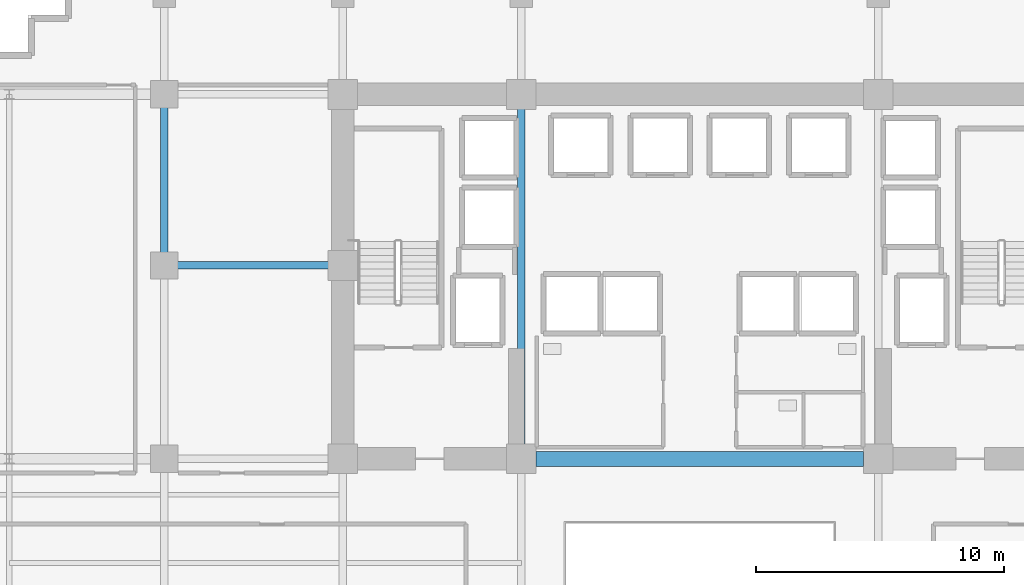
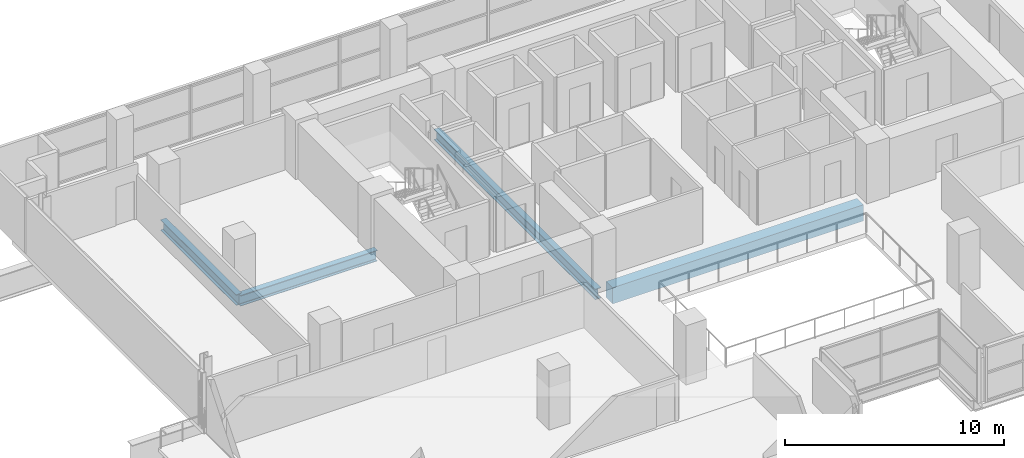
# One storey, part 8 of 31: 4 beams.
"""IFC4 building model written with IfcOpenShell, lengths in metres."""

from ifc_helpers import new_model, si_unit, direction, frame, origin, origin_2d, place, context, subcontext, project, spatial, rectangle, i_section, extrude, material, material_profile, profile_set, type_object, element, save


model = new_model("IFC4")

# Units and contexts
model_context = context("Model", 3, precision=1e-05, world=origin(), true_north=direction((0.0, 1.0)))
body_context = subcontext(model_context, "Body", "Model", "MODEL_VIEW")
ifc_project = project(units=[si_unit("LENGTHUNIT", "METRE"), si_unit("AREAUNIT", "SQUARE_METRE"), si_unit("VOLUMEUNIT", "CUBIC_METRE"), si_unit("PLANEANGLEUNIT", "RADIAN"), si_unit("MASSUNIT", "GRAM", prefix="KILO")], contexts=[model_context])

# Site, building, storey
site_placement = place(None, origin())
site = spatial("IfcSite", under=ifc_project, at=site_placement, CompositionType="ELEMENT")
building_placement = place(site_placement, origin())
building = spatial("IfcBuilding", under=site, at=building_placement, Name="Zarnakvel Exchange Tower", CompositionType="ELEMENT")
storey_placement = place(building_placement, frame((0.0, 0.0, 53.800048828125)))
storey = spatial("IfcBuildingStorey", under=building, at=storey_placement, Name="L14", CompositionType="ELEMENT", Elevation=53.800048828125)

# Beams
ifc_material_1 = material(Name="Concrete C80/95", Category="concrete")
ifc_material_profile_1 = material_profile(ifc_material_1, rectangle(XDim=0.60009765625, YDim=0.89990234375, at=origin_2d()))
ifc_profile_set_1 = profile_set([ifc_material_profile_1], Name="Concrete C80/95")
beam_type_1 = type_object("IfcBeamType", Name="CB-01", PredefinedType="LINTEL", material=ifc_profile_set_1)
beam_1_placement = place(storey_placement, frame((-6.60009765625, -1.199951171875, -0.675048828125), z_axis=(1.0, 0.0, 0.0), x_axis=(0.0, 1.0, 0.0)))
element("IfcBeam", 1, at=beam_1_placement, inside=storey, type_object=beam_type_1, Name="L14 Rear Core South Coupling Beam (CB-01)", PredefinedType="LINTEL", context=body_context, shape_type="SweptSolid", body=[
    extrude(rectangle(XDim=0.60009765625, YDim=0.89990234375, at=origin_2d()), origin(), (0.0, 0.0, 1.0), 13.2001953125),
])
ifc_material_2 = material(Name="Steel S355", Category="steel")
ifc_material_profile_2 = material_profile(ifc_material_2, i_section(OverallWidth=0.300048828125, OverallDepth=0.60009765625, WebThickness=0.015380859375, FlangeThickness=0.030029296875, FilletRadius=0.027099609375, at=origin_2d()))
ifc_profile_set_2 = profile_set([ifc_material_profile_2], Name="Steel S355")
beam_type_2 = type_object("IfcBeamType", Name="G-04", PredefinedType="BEAM", material=ifc_profile_set_2)
beam_2_placement = place(storey_placement, frame((-21.60009765625, 6.60009765625, -0.525146484375), z_axis=(1.0, 0.0, 0.0), x_axis=(0.0, 1.0, 0.0)))
element("IfcBeam", 2, at=beam_2_placement, inside=storey, type_object=beam_type_2, Name="L14 Tower E-W Frame Beam", PredefinedType="BEAM", context=body_context, shape_type="SweptSolid", body=[
    extrude(i_section(OverallWidth=0.300048828125, OverallDepth=0.60009765625, WebThickness=0.015380859375, FlangeThickness=0.030029296875, FilletRadius=0.027099609375, at=origin_2d()), origin(), (0.0, 0.0, 1.0), 7.2001953125),
])
beam_3_placement = place(storey_placement, frame((-21.60009765625, 6.60009765625, -0.525146484375), z_axis=(0.0, 1.0, 0.0), x_axis=(-1.0, 0.0, 0.0)))
element("IfcBeam", 3, at=beam_3_placement, inside=storey, type_object=beam_type_2, Name="L14 Tower N-S Frame Beam", PredefinedType="BEAM", context=body_context, shape_type="SweptSolid", body=[
    extrude(i_section(OverallWidth=0.300048828125, OverallDepth=0.60009765625, WebThickness=0.015380859375, FlangeThickness=0.030029296875, FilletRadius=0.027099609375, at=origin_2d()), origin(), (0.0, 0.0, 1.0), 6.89990234375),
])
beam_4_placement = place(storey_placement, frame((-7.199951171875, -1.199951171875, -0.525146484375), z_axis=(0.0, 1.0, 0.0), x_axis=(-1.0, 0.0, 0.0)))
element("IfcBeam", 4, at=beam_4_placement, inside=storey, type_object=beam_type_2, Name="L14 Tower N-S Frame Beam", PredefinedType="BEAM", context=body_context, shape_type="SweptSolid", body=[
    extrude(i_section(OverallWidth=0.300048828125, OverallDepth=0.60009765625, WebThickness=0.015380859375, FlangeThickness=0.030029296875, FilletRadius=0.027099609375, at=origin_2d()), origin(), (0.0, 0.0, 1.0), 14.699951171875),
])

save(model, "model.ifc")
